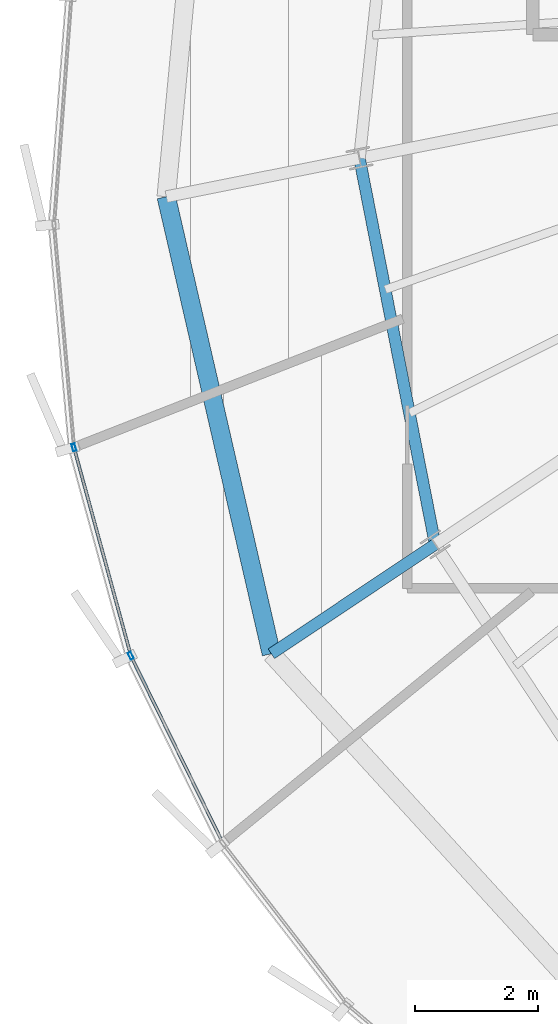
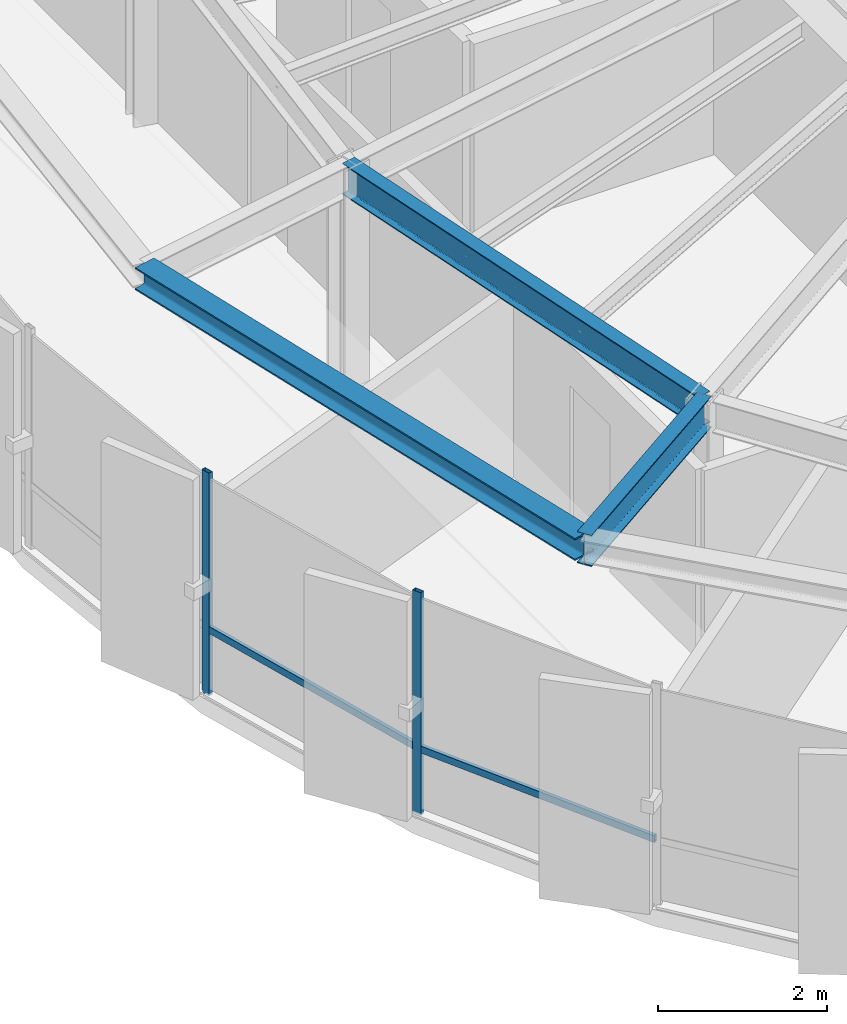
# One storey, part 4 of 34: 4 members, 3 beams, 1 element without a shape of its own.
"""IFC4 building model written with IfcOpenShell, lengths in metres."""

from ifc_helpers import new_model, si_unit, direction, frame, origin, origin_2d, place, context, subcontext, project, spatial, hollow_rectangle, i_section, extrude, source, transform, mapped, material, layer, layer_set, material_profile, profile_set, type_object, element, aggregate, save


model = new_model("IFC4")

# Units and contexts
model_context = context("Model", 3, precision=1e-05, world=origin(), true_north=direction((0.0, 1.0)))
body_context = subcontext(model_context, "Body", "Model", "MODEL_VIEW")
ifc_project = project(units=[si_unit("LENGTHUNIT", "METRE"), si_unit("AREAUNIT", "SQUARE_METRE"), si_unit("VOLUMEUNIT", "CUBIC_METRE"), si_unit("PLANEANGLEUNIT", "RADIAN"), si_unit("MASSUNIT", "GRAM", prefix="KILO"), si_unit("THERMODYNAMICTEMPERATUREUNIT", "KELVIN")], contexts=[model_context])

# Site, building, storey
site_placement = place(None, origin())
site = spatial("IfcSite", under=ifc_project, at=site_placement, CompositionType="ELEMENT")
building_placement = place(site_placement, origin())
building = spatial("IfcBuilding", under=site, at=building_placement, Name="Kethvar Cultural Tower", CompositionType="ELEMENT")
storey_placement = place(building_placement, frame((0.0, 0.0, 259.449951171875)))
storey = spatial("IfcBuildingStorey", under=building, at=storey_placement, Name="L68", CompositionType="ELEMENT", Elevation=259.449951171875)

# Beams
ifc_material_1 = material(Name="Steel S355J2", Category="steel")
ifc_material_profile_1 = material_profile(ifc_material_1, i_section(OverallWidth=0.18994140625, OverallDepth=0.449951171875, WebThickness=0.009521484375, FlangeThickness=0.0146484375, FilletRadius=0.02099609375, at=origin_2d()), Name="Steel S355J2 — IPE450")
ifc_profile_set_1 = profile_set([ifc_material_profile_1], Name="Steel S355J2 — IPE450")
beam_type_1 = type_object("IfcBeamType", Name="BM-IPE450", PredefinedType="BEAM", material=ifc_profile_set_1)
shared_shape_1 = source(origin(), body_context, "Body", "SweptSolid", [
    extrude(i_section(OverallWidth=0.18994140625, OverallDepth=0.449951171875, WebThickness=0.009521484375, FlangeThickness=0.0146484375, FilletRadius=0.02099609375, at=origin_2d()), origin(), (0.0, 0.0, 1.0), 3.199951171875),
])
beam_1_placement = place(storey_placement, frame((32.912841796875, 18.52099609375, 2.983154296875), z_axis=(-0.831462943996, -0.555580212716, 0.0), x_axis=(0.555580212716, -0.831462943996, 0.0)))
element("IfcBeam", 1, at=beam_1_placement, inside=storey, type_object=beam_type_1, Name="L68 Perimeter Cantilever Beam RC-10", PredefinedType="BEAM", context=body_context, shape_type="MappedRepresentation", body=[
    mapped(shared_shape_1, transform((0.0, 0.0, 0.0), scale=1.0)),
])
shared_shape_2 = source(origin(), body_context, "Body", "SweptSolid", [
    extrude(i_section(OverallWidth=0.18994140625, OverallDepth=0.449951171875, WebThickness=0.009521484375, FlangeThickness=0.0146484375, FilletRadius=0.02099609375, at=origin_2d()), origin(), (0.0, 0.0, 1.0), 6.391357421875),
])
beam_2_placement = place(storey_placement, frame((31.68310546875, 24.79296875, 2.983154296875), z_axis=(0.192405084368, -0.981315588131, 0.0), x_axis=(0.981315588131, 0.192405084368, 0.0)))
element("IfcBeam", 2, at=beam_2_placement, inside=storey, type_object=beam_type_1, Name="L68 Column Ring Tie Beam CR-09", PredefinedType="BEAM", context=body_context, shape_type="MappedRepresentation", body=[
    mapped(shared_shape_2, transform((0.0, 0.0, 0.0), scale=1.0)),
])
ifc_material_profile_2 = material_profile(ifc_material_1, i_section(OverallWidth=0.300048828125, OverallDepth=0.320068359375, WebThickness=0.011474609375, FlangeThickness=0.0205078125, FilletRadius=0.027099609375, at=origin_2d()), Name="Steel S355J2 — HEB320")
ifc_profile_set_2 = profile_set([ifc_material_profile_2], Name="Steel S355J2 — HEB320")
beam_type_2 = type_object("IfcBeamType", Name="BM-SP320", PredefinedType="SPANDREL", material=ifc_profile_set_2)
shared_shape_3 = source(origin(), body_context, "Body", "SweptSolid", [
    extrude(i_section(OverallWidth=0.300048828125, OverallDepth=0.320068359375, WebThickness=0.011474609375, FlangeThickness=0.0205078125, FilletRadius=0.027099609375, at=origin_2d()), origin(), (0.0, 0.0, 1.0), 7.619384765625),
])
beam_3_placement = place(storey_placement, frame((28.54443359375, 24.168701171875, 3.048095703125), z_axis=(0.224133998424, -0.974558336248, 0.0), x_axis=(0.974558336248, 0.224133998424, 0.0)))
element("IfcBeam", 3, at=beam_3_placement, inside=storey, type_object=beam_type_2, Name="L68 Perimeter Spandrel Beam SP-09", PredefinedType="SPANDREL", context=body_context, shape_type="MappedRepresentation", body=[
    mapped(shared_shape_3, transform((0.0, 0.0, 0.0), scale=1.0)),
])

# Curtain wall, members
ifc_material_2 = material(Name="Aluminium 6063-T6", Category="aluminium")
ifc_layer = layer(ifc_material_2, 0.179931640625, Name="Aluminium 6063-T6", Category="aluminium")
ifc_layer_set = layer_set([ifc_layer], Name="Aluminium 6063-T6 (180 mm)")
curtain_wall_type = type_object("IfcCurtainWallType", Name="CW-SYS-05-Z56", PredefinedType="NOTDEFINED", material=ifc_layer_set)
curtain_wall_placement = place(storey_placement, origin())
curtain_wall = element("IfcCurtainWall", 4, at=curtain_wall_placement, inside=storey, type_object=curtain_wall_type, Name="L68 Curtain Wall Run 03", PredefinedType="NOTDEFINED")
ifc_material_profile_3 = material_profile(ifc_material_2, hollow_rectangle(XDim=0.054931640625, YDim=0.1201171875, WallThickness=0.00390625, at=origin_2d()), Name="Aluminium 6063-T6 — RHS120x55x4")
ifc_profile_set_3 = profile_set([ifc_material_profile_3], Name="Aluminium 6063-T6 — RHS120x55x4")
member_type_1 = type_object("IfcMemberType", Name="CW-SYS-05-Z56-MUL", PredefinedType="MULLION", material=ifc_profile_set_3)
shared_shape_4 = source(origin(), body_context, "Body", "SweptSolid", [
    extrude(hollow_rectangle(XDim=0.054931640625, YDim=0.1201171875, WallThickness=0.00390625, at=origin_2d()), origin(), (0.0, 0.0, 1.0), 3.2099609375),
])
member_1_placement = place(storey_placement, frame((27.044921875, 20.095703125, 0.0), z_axis=(0.0, 0.0, 1.0), x_axis=(0.964566628777, 0.263839380399, 0.0)))
member_1 = element("IfcMember", 5, at=member_1_placement, type_object=member_type_1, Name="CW-L68-R03 Mullion 3", PredefinedType="MULLION", context=body_context, shape_type="MappedRepresentation", body=[
    mapped(shared_shape_4, transform((0.0, 0.0, 0.0), scale=1.0)),
])
member_2_placement = place(storey_placement, frame((27.96875, 16.711181640625, 0.0), z_axis=(0.0, 0.0, 1.0), x_axis=(0.897504813107, 0.441004660349, 0.0)))
member_2 = element("IfcMember", 6, at=member_2_placement, type_object=member_type_1, Name="CW-L68-R03 Mullion 4", PredefinedType="MULLION", context=body_context, shape_type="MappedRepresentation", body=[
    mapped(shared_shape_4, transform((0.0, 0.0, 0.0), scale=1.0)),
])
ifc_material_profile_4 = material_profile(ifc_material_2, hollow_rectangle(XDim=0.050048828125, YDim=0.10009765625, WallThickness=0.00390625, at=origin_2d()), Name="Aluminium 6063-T6 — RHS100x50x4")
ifc_profile_set_4 = profile_set([ifc_material_profile_4], Name="Aluminium 6063-T6 — RHS100x50x4")
member_type_2 = type_object("IfcMemberType", Name="CW-SYS-05-Z56-TRN", PredefinedType="USERDEFINED", material=ifc_profile_set_4)
shared_shape_5 = source(origin(), body_context, "Body", "SweptSolid", [
    extrude(hollow_rectangle(XDim=0.050048828125, YDim=0.10009765625, WallThickness=0.00390625, at=origin_2d()), origin(), (0.0, 0.0, 1.0), 3.447998046875),
])
member_3_placement = place(storey_placement, frame((27.05517578125, 20.0576171875, 0.949951171875), z_axis=(0.263818302847, -0.964572393905, 0.0), x_axis=(0.964572393905, 0.263818302847, 0.0)))
member_3 = element("IfcMember", 7, at=member_3_placement, type_object=member_type_2, Name="CW-L68-R03 Transom 3", ObjectType="TRANSOM", PredefinedType="USERDEFINED", context=body_context, shape_type="MappedRepresentation", body=[
    mapped(shared_shape_5, transform((0.0, 0.0, 0.0), scale=1.0)),
])
shared_shape_6 = source(origin(), body_context, "Body", "SweptSolid", [
    extrude(hollow_rectangle(XDim=0.050048828125, YDim=0.10009765625, WallThickness=0.00390625, at=origin_2d()), origin(), (0.0, 0.0, 1.0), 3.334716796875),
])
member_4_placement = place(storey_placement, frame((27.986083984375, 16.67578125, 0.949951171875), z_axis=(0.441023903495, -0.897495357395, 0.0), x_axis=(0.897495357395, 0.441023903495, 0.0)))
member_4 = element("IfcMember", 8, at=member_4_placement, type_object=member_type_2, Name="CW-L68-R03 Transom 4", ObjectType="TRANSOM", PredefinedType="USERDEFINED", context=body_context, shape_type="MappedRepresentation", body=[
    mapped(shared_shape_6, transform((0.0, 0.0, 0.0), scale=1.0)),
])
aggregate(curtain_wall, [member_1, member_2, member_3, member_4])

save(model, "model.ifc")
